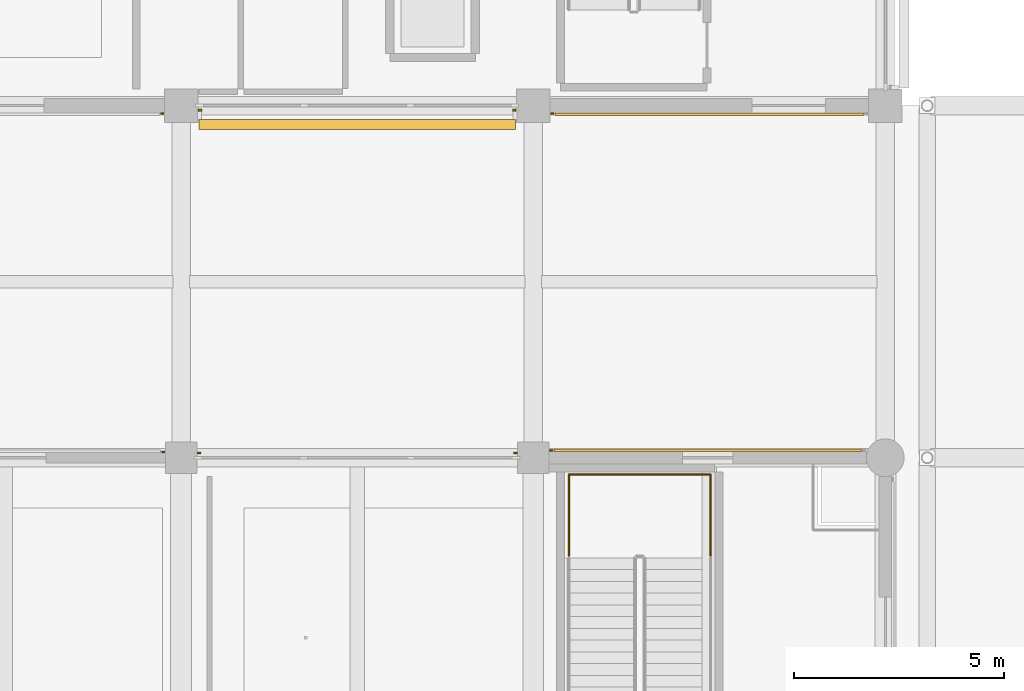
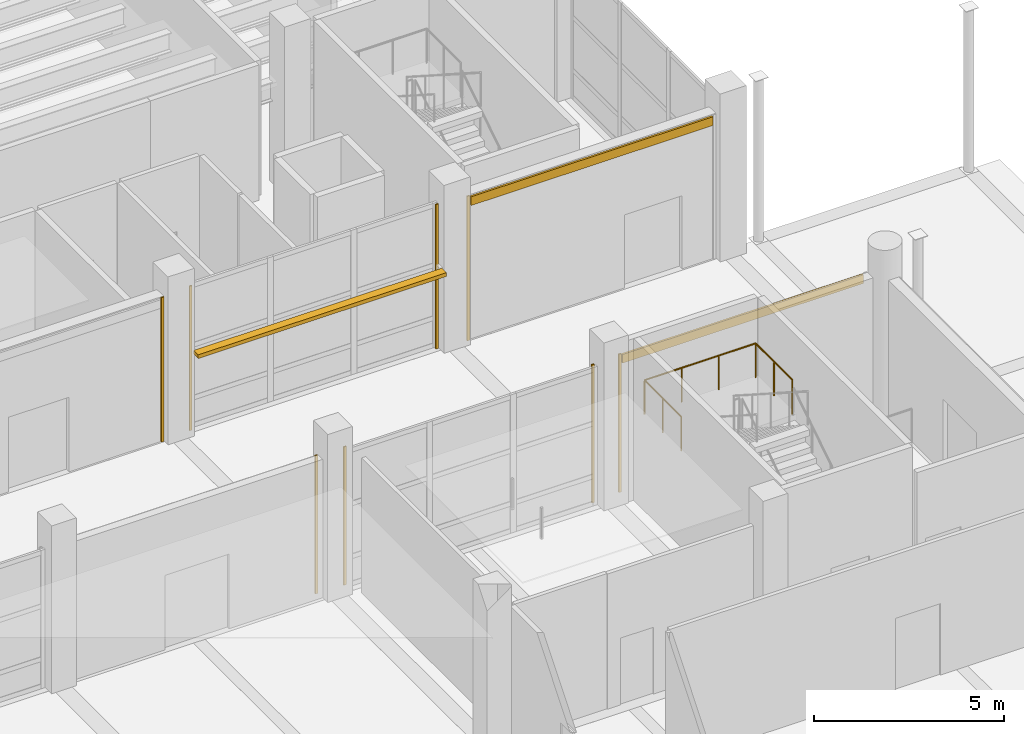
# One storey, part 126 of 140: 10 coverings, 1 railing, 1 shading device.
"""IFC4 building model written with IfcOpenShell, lengths in metres."""

from ifc_helpers import new_model, si_unit, direction, frame, origin, origin_2d, place, context, subcontext, project, spatial, rectangle, circle, extrude, material, layer, layer_set, type_object, element, save


model = new_model("IFC4")

# Units and contexts
model_context = context("Model", 3, precision=1e-05, world=origin(), true_north=direction((0.0, 1.0)))
body_context = subcontext(model_context, "Body", "Model", "MODEL_VIEW")
ifc_project = project(units=[si_unit("LENGTHUNIT", "METRE"), si_unit("AREAUNIT", "SQUARE_METRE"), si_unit("VOLUMEUNIT", "CUBIC_METRE"), si_unit("PLANEANGLEUNIT", "RADIAN"), si_unit("MASSUNIT", "GRAM", prefix="KILO")], contexts=[model_context])

# Site, building, storey
site_placement = place(None, origin())
site = spatial("IfcSite", under=ifc_project, at=site_placement, CompositionType="ELEMENT")
building_placement = place(site_placement, origin())
building = spatial("IfcBuilding", under=site, at=building_placement, Name="Telukmera Botanical Conservatory", CompositionType="ELEMENT")
storey_placement = place(building_placement, origin())
storey = spatial("IfcBuildingStorey", under=building, at=storey_placement, Name="L00", CompositionType="ELEMENT", Elevation=0.0)

# Coverings
ifc_material_1 = material(Name="Granite-faced precast concrete C40/50", Category="masonry")
ifc_layer_1 = layer(ifc_material_1, 0.0400390625)
ifc_layer_set_1 = layer_set([ifc_layer_1], Name="Granite-faced precast concrete C40/50")
covering_type_1 = type_object("IfcCoveringType", Name="Granite Precast Column Pier Reveal Casing", PredefinedType="CLADDING", material=ifc_layer_set_1)
for number, where, z_axis, x_axis, name in (
    (1, (24.748046875, 83.010009765625, 0.0), (0.0, 0.0, 1.0), (1.0, 0.0, 0.0), "Granite Pier Reveal V2:L00:S2 R"),
    (2, (25.652099609375, 83.090087890625, 0.0), (0.0, 0.0, 1.0), (1.0, 0.0, 0.0), "Granite Pier Reveal V2:L00:S3 L"),
    (3, (33.14794921875, 83.090087890625, 0.0), (0.0, 0.0, 1.0), (1.0, 0.0, 0.0), "Granite Pier Reveal V2:L00:S3 R"),
    (4, (34.052001953125, 83.010009765625, 0.0), (0.0, 0.0, 1.0), (1.0, 0.0, 0.0), "Granite Pier Reveal V2:L00:S4 L"),
):
    element("IfcCovering", number, at=place(storey_placement, frame(where, z_axis=z_axis, x_axis=x_axis)), inside=storey, type_object=covering_type_1, Name=name, PredefinedType="CLADDING", context=body_context, shape_type="SweptSolid", body=[
        extrude(rectangle(XDim=0.080078125, YDim=0.0400390625, at=origin_2d()), origin(), (0.0, 0.0, 1.0), 4.64990234375),
    ])
for number, where, z_axis, x_axis, name in (
    (5, (24.77294921875, 74.93994140625, 0.0), (0.0, 0.0, 1.0), (1.0, 0.0, 0.0), "Granite Pier Reveal V3:L00:N2 R"),
    (6, (25.626953125, 74.909912109375, 0.0), (0.0, 0.0, 1.0), (1.0, 0.0, 0.0), "Granite Pier Reveal V3:L00:N3 L"),
    (7, (33.173095703125, 74.909912109375, 0.0), (0.0, 0.0, 1.0), (1.0, 0.0, 0.0), "Granite Pier Reveal V3:L00:N3 R"),
    (8, (34.027099609375, 74.969970703125, 0.0), (0.0, 0.0, 1.0), (1.0, 0.0, 0.0), "Granite Pier Reveal V3:L00:N4 L"),
):
    element("IfcCovering", number, at=place(storey_placement, frame(where, z_axis=z_axis, x_axis=x_axis)), inside=storey, type_object=covering_type_1, Name=name, PredefinedType="CLADDING", context=body_context, shape_type="SweptSolid", body=[
        extrude(rectangle(XDim=0.080078125, YDim=0.0400390625, at=origin_2d()), origin(), (0.0, 0.0, 1.0), 4.449951171875),
    ])

# Shading device
ifc_material_2 = material(Name="Perforated terracotta-anodised aluminium 6063-T6", Category="masonry")
ifc_layer_2 = layer(ifc_material_2, 0.044921875)
ifc_layer_set_2 = layer_set([ifc_layer_2], Name="Perforated terracotta-anodised aluminium 6063-T6")
shading_device_type = type_object("IfcShadingDeviceType", Name="Perforated Terracotta Aluminium Monsoon Brise Soleil", PredefinedType="JALOUSIE", material=ifc_layer_set_2)
shading_device_placement = place(storey_placement, frame((29.39990234375, 82.75, 2.58984375), z_axis=(0.0, 0.0, 1.0), x_axis=(1.0, 0.0, 0.0)))
element("IfcShadingDevice", 9, at=shading_device_placement, inside=storey, type_object=shading_device_type, Name="Monsoon Shading BS01 V2:L00:S3", PredefinedType="JALOUSIE", context=body_context, shape_type="SweptSolid", body=[
    extrude(rectangle(XDim=7.555908203125, YDim=0.239990234375, at=origin_2d()), origin(), (0.0, 0.0, 1.0), 0.1201171875),
])

# Coverings
ifc_material_3 = material(Name="Terracotta-faced precast concrete C40/50", Category="masonry")
ifc_layer_3 = layer(ifc_material_3, 0.06005859375)
ifc_layer_set_3 = layer_set([ifc_layer_3], Name="Terracotta-faced precast concrete C40/50")
covering_type_2 = type_object("IfcCoveringType", Name="Polychrome Terracotta Facade Band Cladding", PredefinedType="CLADDING", material=ifc_layer_set_3)
covering_1_placement = place(storey_placement, frame((37.800048828125, 83.0, 4.330078125), z_axis=(0.0, 0.0, 1.0), x_axis=(1.0, 0.0, 0.0)))
element("IfcCovering", 10, at=covering_1_placement, inside=storey, type_object=covering_type_2, Name="Polychrome Terracotta Band V2:L00:S4", PredefinedType="CLADDING", context=body_context, shape_type="SweptSolid", body=[
    extrude(rectangle(XDim=7.35595703125, YDim=0.06005859375, at=origin_2d()), origin(), (0.0, 0.0, 1.0), 0.280029296875),
])
covering_2_placement = place(storey_placement, frame((37.762451171875, 74.97998046875, 4.1298828125), z_axis=(0.0, 0.0, 1.0), x_axis=(1.0, 0.0, 0.0)))
element("IfcCovering", 11, at=covering_2_placement, inside=storey, type_object=covering_type_2, Name="Polychrome Terracotta Band V3:L00:N4", PredefinedType="CLADDING", context=body_context, shape_type="SweptSolid", body=[
    extrude(rectangle(XDim=7.3310546875, YDim=0.06005859375, at=origin_2d()), origin(), (0.0, 0.0, 1.0), 0.280029296875),
])

# Railing
ifc_material_4 = material(Name="Steel S355", Category="steel")
railing_type = type_object("IfcRailingType", Name="RL-GUARD-1100", PredefinedType="GUARDRAIL", material=ifc_material_4)
railing_placement = place(storey_placement, frame((37.830078125, 72.4599609375, 2.699951171875)))
element("IfcRailing", 12, at=railing_placement, inside=storey, type_object=railing_type, Name="L00 ST4 half-landing perimeter guard 1", PredefinedType="GUARDRAIL", context=body_context, shape_type="SweptSolid", body=[
    extrude(circle(Radius=0.02392578125, at=origin_2d()), frame((0.0, 0.0, 1.09619140625), z_axis=(0.0, 1.0, 0.0), x_axis=(-1.0, 0.0, 0.0)), (0.0, 0.0, 1.0), 1.93994140625),
    extrude(circle(Radius=0.02392578125, at=origin_2d()), frame((0.0, 1.93994140625, 1.09619140625), z_axis=(-1.0, 0.0, 0.0), x_axis=(0.0, -1.0, 0.0)), (0.0, 0.0, 1.0), 3.380126953125),
    extrude(circle(Radius=0.02392578125, at=origin_2d()), frame((-3.380126953125, 1.93994140625, 1.09619140625), z_axis=(0.0, -1.0, 0.0), x_axis=(1.0, 0.0, 0.0)), (0.0, 0.0, 1.0), 1.93994140625),
    extrude(circle(Radius=0.02099609375, at=origin_2d()), origin(), (0.0, 0.0, 1.0), 1.072021484375),
    extrude(circle(Radius=0.02099609375, at=origin_2d()), frame((0.0, 0.969970703125, 0.0)), (0.0, 0.0, 1.0), 1.072021484375),
    extrude(circle(Radius=0.02099609375, at=origin_2d()), frame((0.0, 1.93994140625, 0.0)), (0.0, 0.0, 1.0), 1.072021484375),
    extrude(circle(Radius=0.02099609375, at=origin_2d()), frame((-1.126708984375, 1.93994140625, 0.0)), (0.0, 0.0, 1.0), 1.072021484375),
    extrude(circle(Radius=0.02099609375, at=origin_2d()), frame((-2.25341796875, 1.93994140625, 0.0)), (0.0, 0.0, 1.0), 1.072021484375),
    extrude(circle(Radius=0.02099609375, at=origin_2d()), frame((-3.380126953125, 1.93994140625, 0.0)), (0.0, 0.0, 1.0), 1.072021484375),
    extrude(circle(Radius=0.02099609375, at=origin_2d()), frame((-3.380126953125, 0.969970703125, 0.0)), (0.0, 0.0, 1.0), 1.072021484375),
    extrude(circle(Radius=0.02099609375, at=origin_2d()), frame((-3.380126953125, 0.0, 0.0)), (0.0, 0.0, 1.0), 1.072021484375),
])

save(model, "model.ifc")
